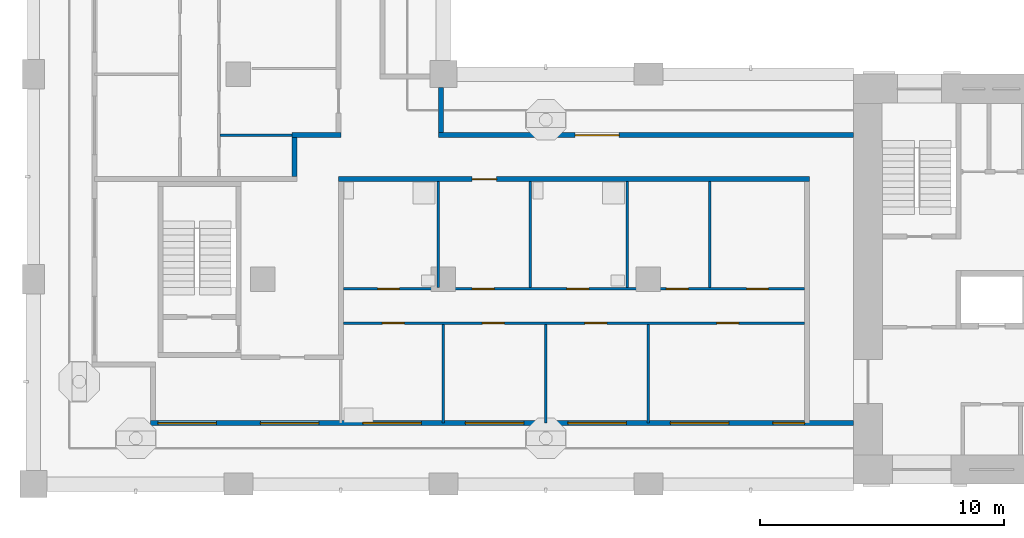
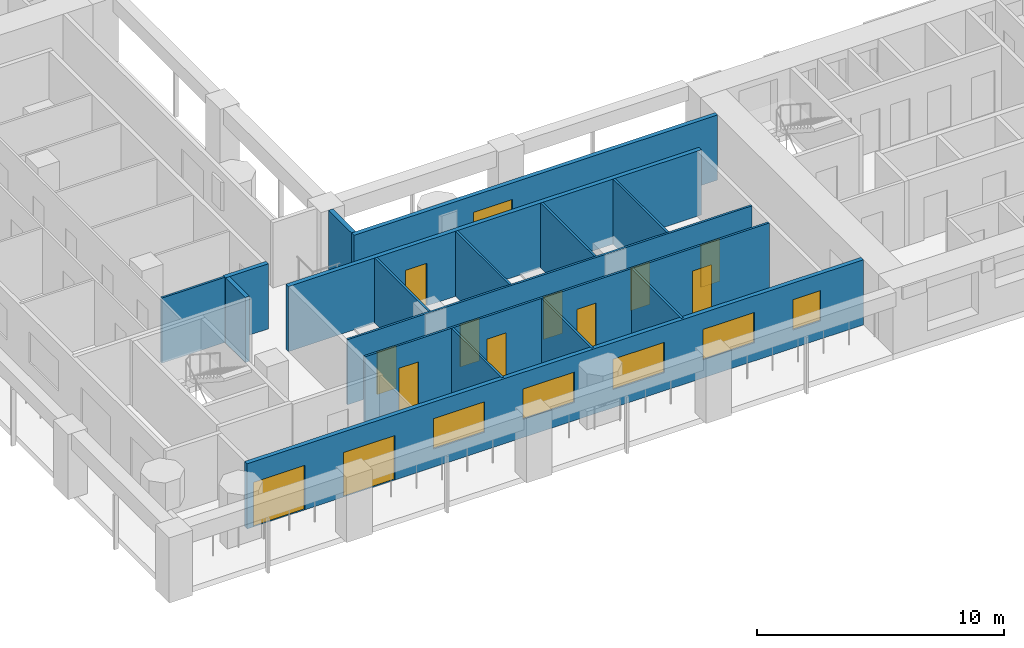
# One storey, part 2 of 13: 16 walls, 13 doors, 5 windows, 18 openings.
"""IFC4 building model written with IfcOpenShell, lengths in metres."""

from ifc_helpers import new_model, si_unit, direction, frame, frame_2d, origin, place, context, subcontext, project, spatial, rectangle, extrude, material, layer, layer_set, type_object, element, fill, save


model = new_model("IFC4")

# Units and contexts
model_context = context("Model", 3, precision=1e-05, world=origin(), true_north=direction((0.0, 1.0)))
body_context = subcontext(model_context, "Body", "Model", "MODEL_VIEW")
ifc_project = project(units=[si_unit("LENGTHUNIT", "METRE"), si_unit("AREAUNIT", "SQUARE_METRE"), si_unit("VOLUMEUNIT", "CUBIC_METRE"), si_unit("PLANEANGLEUNIT", "RADIAN"), si_unit("MASSUNIT", "GRAM", prefix="KILO")], contexts=[model_context])

# Site, building, storey
site_placement = place(None, origin())
site = spatial("IfcSite", under=ifc_project, at=site_placement, CompositionType="ELEMENT")
building_placement = place(site_placement, origin())
building = spatial("IfcBuilding", under=site, at=building_placement, Name="Vermilion Gate Residences", CompositionType="ELEMENT")
storey_placement = place(building_placement, frame((0.0, 0.0, 158.199951171875)))
storey = spatial("IfcBuildingStorey", under=building, at=storey_placement, Name="L40", CompositionType="ELEMENT", Elevation=158.199951171875)

# Wall, openings, doors, windows
ifc_material_1 = material(Name="Insulated steel stud wall with terracotta rainscreen", Category="masonry")
ifc_layer_1 = layer(ifc_material_1, 0.199951171875)
ifc_layer_set_1 = layer_set([ifc_layer_1], Name="EXTERNAL WALL 200 TERRACOTTA RAINSCREEN")
wall_type_1 = type_object("IfcWallType", Name="EXTERNAL WALL 200 TERRACOTTA RAINSCREEN", PredefinedType="SOLIDWALL", material=ifc_layer_set_1)
wall_1_placement = place(storey_placement, frame((13.199951171875, 10.89990234375, 0.0), z_axis=(0.0, 0.0, 1.0), x_axis=(1.0, 0.0, 0.0)))
wall_1 = element("IfcWall", 1, at=wall_1_placement, inside=storey, type_object=wall_type_1, Name="External wall", PredefinedType="SOLIDWALL", context=body_context, shape_type="SweptSolid", body=[
    extrude(rectangle(XDim=28.800048828125, YDim=0.199951171875, at=frame_2d((14.39990234375, 0.0))), origin(), (0.0, 0.0, 1.0), 3.219970703125),
])
opening_1_placement = place(wall_1_placement, frame((0.300048828125, 0.0, 0.0)))
opening_1 = element("IfcOpeningElement", 2, at=opening_1_placement, cuts=wall_1, Name="Opening DE40008", PredefinedType="OPENING", context=body_context, shape_type="SweptSolid", body=[
    extrude(rectangle(XDim=2.39990234375, YDim=2.199951171875, at=frame_2d((1.199951171875, 1.10009765625))), frame((0.0, 0.10986328125, 0.0), z_axis=(0.0, -1.0, 0.0), x_axis=(1.0, 0.0, 0.0)), (0.0, 0.0, 1.0), 0.219970703125),
])
opening_2_placement = place(wall_1_placement, frame((4.5, 0.0, 0.0)))
opening_2 = element("IfcOpeningElement", 3, at=opening_2_placement, cuts=wall_1, Name="Opening DE40009", PredefinedType="OPENING", context=body_context, shape_type="SweptSolid", body=[
    extrude(rectangle(XDim=2.39990234375, YDim=2.199951171875, at=frame_2d((1.199951171875, 1.10009765625))), frame((0.0, 0.10986328125, 0.0), z_axis=(0.0, -1.0, 0.0), x_axis=(1.0, 0.0, 0.0)), (0.0, 0.0, 1.0), 0.219970703125),
])
opening_3_placement = place(wall_1_placement, frame((8.699951171875, 0.0, 0.89990234375)))
opening_3 = element("IfcOpeningElement", 4, at=opening_3_placement, cuts=wall_1, Name="Opening WE40010", PredefinedType="OPENING", context=body_context, shape_type="SweptSolid", body=[
    extrude(rectangle(XDim=2.39990234375, YDim=1.5, at=frame_2d((1.199951171875, 0.75))), frame((0.0, 0.10986328125, 0.0), z_axis=(0.0, -1.0, 0.0), x_axis=(1.0, 0.0, 0.0)), (0.0, 0.0, 1.0), 0.219970703125),
])
opening_4_placement = place(wall_1_placement, frame((12.89990234375, 0.0, 0.89990234375)))
opening_4 = element("IfcOpeningElement", 5, at=opening_4_placement, cuts=wall_1, Name="Opening WE40011", PredefinedType="OPENING", context=body_context, shape_type="SweptSolid", body=[
    extrude(rectangle(XDim=2.39990234375, YDim=1.5, at=frame_2d((1.199951171875, 0.75))), frame((0.0, 0.10986328125, 0.0), z_axis=(0.0, -1.0, 0.0), x_axis=(1.0, 0.0, 0.0)), (0.0, 0.0, 1.0), 0.219970703125),
])
opening_5_placement = place(wall_1_placement, frame((17.10009765625, 0.0, 0.89990234375)))
opening_5 = element("IfcOpeningElement", 6, at=opening_5_placement, cuts=wall_1, Name="Opening WE40012", PredefinedType="OPENING", context=body_context, shape_type="SweptSolid", body=[
    extrude(rectangle(XDim=2.39990234375, YDim=1.5, at=frame_2d((1.199951171875, 0.75))), frame((0.0, 0.10986328125, 0.0), z_axis=(0.0, -1.0, 0.0), x_axis=(1.0, 0.0, 0.0)), (0.0, 0.0, 1.0), 0.219970703125),
])
opening_6_placement = place(wall_1_placement, frame((21.300048828125, 0.0, 0.89990234375)))
opening_6 = element("IfcOpeningElement", 7, at=opening_6_placement, cuts=wall_1, Name="Opening WE40013", PredefinedType="OPENING", context=body_context, shape_type="SweptSolid", body=[
    extrude(rectangle(XDim=2.39990234375, YDim=1.5, at=frame_2d((1.199951171875, 0.75))), frame((0.0, 0.10986328125, 0.0), z_axis=(0.0, -1.0, 0.0), x_axis=(1.0, 0.0, 0.0)), (0.0, 0.0, 1.0), 0.219970703125),
])
opening_7_placement = place(wall_1_placement, frame((25.5, 0.0, 0.89990234375)))
opening_7 = element("IfcOpeningElement", 8, at=opening_7_placement, cuts=wall_1, Name="Opening WE40014", PredefinedType="OPENING", context=body_context, shape_type="SweptSolid", body=[
    extrude(rectangle(XDim=1.300048828125, YDim=1.5, at=frame_2d((0.64990234375, 0.75))), frame((0.0, 0.10986328125, 0.0), z_axis=(0.0, -1.0, 0.0), x_axis=(1.0, 0.0, 0.0)), (0.0, 0.0, 1.0), 0.219970703125),
])
ifc_material_2 = material(Name="Aluminium and clear glass", Category="aluminium")
door_type_1 = type_object("IfcDoorType", Name="SLIDING GLAZED DOOR 2400 X 2200", OperationType="DOUBLE_DOOR_SLIDING", PredefinedType="DOOR", material=ifc_material_2)
door_1_placement = place(opening_1_placement, origin())
door_1 = element("IfcDoor", 9, at=door_1_placement, inside=storey, type_object=door_type_1, Name="Loggia sliding door", OperationType="DOUBLE_DOOR_SLIDING", OverallHeight=2.199951171875, OverallWidth=2.39990234375, PredefinedType="DOOR", context=body_context, shape_type="SweptSolid", body=[
    extrude(rectangle(XDim=2.39990234375, YDim=2.199951171875, at=frame_2d((1.199951171875, 1.10009765625))), frame((0.0, 0.02490234375, 0.0), z_axis=(0.0, -1.0, 0.0), x_axis=(1.0, 0.0, 0.0)), (0.0, 0.0, 1.0), 0.050048828125),
])
fill(opening_1, door_1)
door_2_placement = place(opening_2_placement, origin())
door_2 = element("IfcDoor", 10, at=door_2_placement, inside=storey, type_object=door_type_1, Name="Loggia sliding door", OperationType="DOUBLE_DOOR_SLIDING", OverallHeight=2.199951171875, OverallWidth=2.39990234375, PredefinedType="DOOR", context=body_context, shape_type="SweptSolid", body=[
    extrude(rectangle(XDim=2.39990234375, YDim=2.199951171875, at=frame_2d((1.199951171875, 1.10009765625))), frame((0.0, 0.02490234375, 0.0), z_axis=(0.0, -1.0, 0.0), x_axis=(1.0, 0.0, 0.0)), (0.0, 0.0, 1.0), 0.050048828125),
])
fill(opening_2, door_2)
ifc_material_3 = material(Name="Aluminium and clear glass", Category="aluminium")
window_type_1 = type_object("IfcWindowType", Name="WINDOW 1300 X 1500", PartitioningType="SINGLE_PANEL", PredefinedType="WINDOW", material=ifc_material_3)
window_1_placement = place(opening_7_placement, origin())
window_1 = element("IfcWindow", 11, at=window_1_placement, inside=storey, type_object=window_type_1, Name="Window", OverallHeight=1.5, OverallWidth=1.300048828125, PartitioningType="SINGLE_PANEL", PredefinedType="WINDOW", context=body_context, shape_type="SweptSolid", body=[
    extrude(rectangle(XDim=1.300048828125, YDim=1.5, at=frame_2d((0.64990234375, 0.75))), frame((0.0, 0.030029296875, 0.0), z_axis=(0.0, -1.0, 0.0), x_axis=(1.0, 0.0, 0.0)), (0.0, 0.0, 1.0), 0.06005859375),
])
fill(opening_7, window_1)
ifc_material_4 = material(Name="Aluminium and clear glass", Category="aluminium")
window_type_2 = type_object("IfcWindowType", Name="WINDOW 2400 X 1500", PartitioningType="SINGLE_PANEL", PredefinedType="WINDOW", material=ifc_material_4)
window_2_placement = place(opening_3_placement, origin())
window_2 = element("IfcWindow", 12, at=window_2_placement, inside=storey, type_object=window_type_2, Name="Window", OverallHeight=1.5, OverallWidth=2.39990234375, PartitioningType="SINGLE_PANEL", PredefinedType="WINDOW", context=body_context, shape_type="SweptSolid", body=[
    extrude(rectangle(XDim=2.39990234375, YDim=1.5, at=frame_2d((1.199951171875, 0.75))), frame((0.0, 0.030029296875, 0.0), z_axis=(0.0, -1.0, 0.0), x_axis=(1.0, 0.0, 0.0)), (0.0, 0.0, 1.0), 0.06005859375),
])
fill(opening_3, window_2)
window_3_placement = place(opening_4_placement, origin())
window_3 = element("IfcWindow", 13, at=window_3_placement, inside=storey, type_object=window_type_2, Name="Window", OverallHeight=1.5, OverallWidth=2.39990234375, PartitioningType="SINGLE_PANEL", PredefinedType="WINDOW", context=body_context, shape_type="SweptSolid", body=[
    extrude(rectangle(XDim=2.39990234375, YDim=1.5, at=frame_2d((1.199951171875, 0.75))), frame((0.0, 0.030029296875, 0.0), z_axis=(0.0, -1.0, 0.0), x_axis=(1.0, 0.0, 0.0)), (0.0, 0.0, 1.0), 0.06005859375),
])
fill(opening_4, window_3)
window_4_placement = place(opening_5_placement, origin())
window_4 = element("IfcWindow", 14, at=window_4_placement, inside=storey, type_object=window_type_2, Name="Window", OverallHeight=1.5, OverallWidth=2.39990234375, PartitioningType="SINGLE_PANEL", PredefinedType="WINDOW", context=body_context, shape_type="SweptSolid", body=[
    extrude(rectangle(XDim=2.39990234375, YDim=1.5, at=frame_2d((1.199951171875, 0.75))), frame((0.0, 0.030029296875, 0.0), z_axis=(0.0, -1.0, 0.0), x_axis=(1.0, 0.0, 0.0)), (0.0, 0.0, 1.0), 0.06005859375),
])
fill(opening_5, window_4)
window_5_placement = place(opening_6_placement, origin())
window_5 = element("IfcWindow", 15, at=window_5_placement, inside=storey, type_object=window_type_2, Name="Window", OverallHeight=1.5, OverallWidth=2.39990234375, PartitioningType="SINGLE_PANEL", PredefinedType="WINDOW", context=body_context, shape_type="SweptSolid", body=[
    extrude(rectangle(XDim=2.39990234375, YDim=1.5, at=frame_2d((1.199951171875, 0.75))), frame((0.0, 0.030029296875, 0.0), z_axis=(0.0, -1.0, 0.0), x_axis=(1.0, 0.0, 0.0)), (0.0, 0.0, 1.0), 0.06005859375),
])
fill(opening_6, window_5)

# Wall, opening, door
wall_2_placement = place(storey_placement, frame((42.0, 22.699951171875, 0.0), z_axis=(0.0, 0.0, 1.0), x_axis=(-1.0, 0.0, 0.0)))
wall_2 = element("IfcWall", 16, at=wall_2_placement, inside=storey, type_object=wall_type_1, Name="External wall", PredefinedType="SOLIDWALL", context=body_context, shape_type="SweptSolid", body=[
    extrude(rectangle(XDim=17.0, YDim=0.199951171875, at=frame_2d((8.5, 0.0))), origin(), (0.0, 0.0, 1.0), 3.219970703125),
])
opening_8_placement = place(wall_2_placement, frame((9.60009765625, 0.0, 0.0)))
opening_8 = element("IfcOpeningElement", 17, at=opening_8_placement, cuts=wall_2, Name="Opening DE40020", PredefinedType="OPENING", context=body_context, shape_type="SweptSolid", body=[
    extrude(rectangle(XDim=1.800048828125, YDim=2.39990234375, at=frame_2d((0.89990234375, 1.199951171875))), frame((0.0, 0.10986328125, 0.0), z_axis=(0.0, -1.0, 0.0), x_axis=(1.0, 0.0, 0.0)), (0.0, 0.0, 1.0), 0.219970703125),
])
ifc_material_5 = material(Name="Aluminium and clear glass", Category="aluminium")
door_type_2 = type_object("IfcDoorType", Name="GLAZED EXTERNAL DOOR 1800 X 2400", OperationType="DOUBLE_DOOR_SINGLE_SWING", PredefinedType="DOOR", material=ifc_material_5)
door_3_placement = place(opening_8_placement, frame((1.800048828125, 0.0, 0.0), z_axis=(0.0, 0.0, 1.0), x_axis=(-1.0, 0.0, 0.0)))
door_3 = element("IfcDoor", 18, at=door_3_placement, inside=storey, type_object=door_type_2, Name="Gallery door", OperationType="DOUBLE_DOOR_SINGLE_SWING", OverallHeight=2.39990234375, OverallWidth=1.800048828125, PredefinedType="DOOR", context=body_context, shape_type="SweptSolid", body=[
    extrude(rectangle(XDim=1.800048828125, YDim=2.39990234375, at=frame_2d((0.89990234375, 1.199951171875))), frame((0.0, 0.02490234375, 0.0), z_axis=(0.0, -1.0, 0.0), x_axis=(1.0, 0.0, 0.0)), (0.0, 0.0, 1.0), 0.050048828125),
])
fill(opening_8, door_3)

# Wall
wall_3_placement = place(storey_placement, frame((25.10009765625, 22.800048828125, 0.0), z_axis=(0.0, 0.0, 1.0), x_axis=(0.0, 1.0, 0.0)))
element("IfcWall", 19, at=wall_3_placement, inside=storey, type_object=wall_type_1, Name="External wall", PredefinedType="SOLIDWALL", context=body_context, shape_type="SweptSolid", body=[
    extrude(rectangle(XDim=1.849853515625, YDim=0.199951171875, at=frame_2d((0.9248046875, 0.0))), origin(), (0.0, 0.0, 1.0), 3.219970703125),
])

# Wall, openings, doors
ifc_material_6 = material(Name="Plasterboard on steel studs", Category="steel")
ifc_layer_2 = layer(ifc_material_6, 0.10009765625)
ifc_layer_set_2 = layer_set([ifc_layer_2], Name="PARTITION 100")
wall_type_2 = type_object("IfcWallType", Name="PARTITION 100", PredefinedType="PARTITIONING", material=ifc_layer_set_2)
wall_4_placement = place(storey_placement, frame((21.10009765625, 15.0, 0.0), z_axis=(0.0, 0.0, 1.0), x_axis=(1.0, 0.0, 0.0)))
wall_4 = element("IfcWall", 20, at=wall_4_placement, inside=storey, type_object=wall_type_2, Name="Partition", PredefinedType="PARTITIONING", context=body_context, shape_type="SweptSolid", body=[
    extrude(rectangle(XDim=18.89990234375, YDim=0.10009765625, at=frame_2d((9.449951171875, 0.0))), origin(), (0.0, 0.0, 1.0), 3.219970703125),
])
opening_9_placement = place(wall_4_placement, frame((1.60009765625, 0.0, 0.0)))
opening_9 = element("IfcOpeningElement", 21, at=opening_9_placement, cuts=wall_4, Name="Opening DA40002", PredefinedType="OPENING", context=body_context, shape_type="SweptSolid", body=[
    extrude(rectangle(XDim=0.89990234375, YDim=2.10009765625, at=frame_2d((0.449951171875, 1.050048828125))), frame((0.0, 0.06005859375, 0.0), z_axis=(0.0, -1.0, 0.0), x_axis=(1.0, 0.0, 0.0)), (0.0, 0.0, 1.0), 0.1201171875),
])
opening_10_placement = place(wall_4_placement, frame((5.699951171875, 0.0, 0.0)))
opening_10 = element("IfcOpeningElement", 22, at=opening_10_placement, cuts=wall_4, Name="Opening DA40003", PredefinedType="OPENING", context=body_context, shape_type="SweptSolid", body=[
    extrude(rectangle(XDim=0.89990234375, YDim=2.10009765625, at=frame_2d((0.449951171875, 1.050048828125))), frame((0.0, 0.06005859375, 0.0), z_axis=(0.0, -1.0, 0.0), x_axis=(1.0, 0.0, 0.0)), (0.0, 0.0, 1.0), 0.1201171875),
])
opening_11_placement = place(wall_4_placement, frame((9.89990234375, 0.0, 0.0)))
opening_11 = element("IfcOpeningElement", 23, at=opening_11_placement, cuts=wall_4, Name="Opening DA40004", PredefinedType="OPENING", context=body_context, shape_type="SweptSolid", body=[
    extrude(rectangle(XDim=0.89990234375, YDim=2.10009765625, at=frame_2d((0.449951171875, 1.050048828125))), frame((0.0, 0.06005859375, 0.0), z_axis=(0.0, -1.0, 0.0), x_axis=(1.0, 0.0, 0.0)), (0.0, 0.0, 1.0), 0.1201171875),
])
opening_12_placement = place(wall_4_placement, frame((15.300048828125, 0.0, 0.0)))
opening_12 = element("IfcOpeningElement", 24, at=opening_12_placement, cuts=wall_4, Name="Opening DA40005", PredefinedType="OPENING", context=body_context, shape_type="SweptSolid", body=[
    extrude(rectangle(XDim=0.89990234375, YDim=2.10009765625, at=frame_2d((0.449951171875, 1.050048828125))), frame((0.0, 0.06005859375, 0.0), z_axis=(0.0, -1.0, 0.0), x_axis=(1.0, 0.0, 0.0)), (0.0, 0.0, 1.0), 0.1201171875),
])
ifc_material_7 = material(Name="Timber", Category="wood")
door_type_3 = type_object("IfcDoorType", Name="INTERIOR DOOR 900 X 2100", OperationType="SINGLE_SWING_LEFT", PredefinedType="DOOR", material=ifc_material_7)
door_4_placement = place(opening_9_placement, frame((0.89990234375, 0.0, 0.0), z_axis=(0.0, 0.0, 1.0), x_axis=(-1.0, 0.0, 0.0)))
door_4 = element("IfcDoor", 25, at=door_4_placement, inside=storey, type_object=door_type_3, Name="Interior door", OperationType="SINGLE_SWING_LEFT", OverallHeight=2.10009765625, OverallWidth=0.89990234375, PredefinedType="DOOR", context=body_context, shape_type="SweptSolid", body=[
    extrude(rectangle(XDim=0.89990234375, YDim=2.10009765625, at=frame_2d((0.449951171875, 1.050048828125))), frame((0.0, 0.02490234375, 0.0), z_axis=(0.0, -1.0, 0.0), x_axis=(1.0, 0.0, 0.0)), (0.0, 0.0, 1.0), 0.050048828125),
])
fill(opening_9, door_4)
door_5_placement = place(opening_10_placement, frame((0.89990234375, 0.0, 0.0), z_axis=(0.0, 0.0, 1.0), x_axis=(-1.0, 0.0, 0.0)))
door_5 = element("IfcDoor", 26, at=door_5_placement, inside=storey, type_object=door_type_3, Name="Interior door", OperationType="SINGLE_SWING_RIGHT", OverallHeight=2.10009765625, OverallWidth=0.89990234375, PredefinedType="DOOR", context=body_context, shape_type="SweptSolid", body=[
    extrude(rectangle(XDim=0.89990234375, YDim=2.10009765625, at=frame_2d((0.449951171875, 1.050048828125))), frame((0.0, 0.02490234375, 0.0), z_axis=(0.0, -1.0, 0.0), x_axis=(1.0, 0.0, 0.0)), (0.0, 0.0, 1.0), 0.050048828125),
])
fill(opening_10, door_5)
door_6_placement = place(opening_11_placement, frame((0.89990234375, 0.0, 0.0), z_axis=(0.0, 0.0, 1.0), x_axis=(-1.0, 0.0, 0.0)))
door_6 = element("IfcDoor", 27, at=door_6_placement, inside=storey, type_object=door_type_3, Name="Interior door", OperationType="SINGLE_SWING_RIGHT", OverallHeight=2.10009765625, OverallWidth=0.89990234375, PredefinedType="DOOR", context=body_context, shape_type="SweptSolid", body=[
    extrude(rectangle(XDim=0.89990234375, YDim=2.10009765625, at=frame_2d((0.449951171875, 1.050048828125))), frame((0.0, 0.02490234375, 0.0), z_axis=(0.0, -1.0, 0.0), x_axis=(1.0, 0.0, 0.0)), (0.0, 0.0, 1.0), 0.050048828125),
])
fill(opening_11, door_6)
door_7_placement = place(opening_12_placement, frame((0.89990234375, 0.0, 0.0), z_axis=(0.0, 0.0, 1.0), x_axis=(-1.0, 0.0, 0.0)))
door_7 = element("IfcDoor", 28, at=door_7_placement, inside=storey, type_object=door_type_3, Name="Interior door", OperationType="SINGLE_SWING_LEFT", OverallHeight=2.10009765625, OverallWidth=0.89990234375, PredefinedType="DOOR", context=body_context, shape_type="SweptSolid", body=[
    extrude(rectangle(XDim=0.89990234375, YDim=2.10009765625, at=frame_2d((0.449951171875, 1.050048828125))), frame((0.0, 0.02490234375, 0.0), z_axis=(0.0, -1.0, 0.0), x_axis=(1.0, 0.0, 0.0)), (0.0, 0.0, 1.0), 0.050048828125),
])
fill(opening_12, door_7)

wall_5_placement = place(storey_placement, frame((21.10009765625, 16.39990234375, 0.0), z_axis=(0.0, 0.0, 1.0), x_axis=(1.0, 0.0, 0.0)))
wall_5 = element("IfcWall", 29, at=wall_5_placement, inside=storey, type_object=wall_type_2, Name="Partition", PredefinedType="PARTITIONING", context=body_context, shape_type="SweptSolid", body=[
    extrude(rectangle(XDim=18.89990234375, YDim=0.10009765625, at=frame_2d((9.449951171875, 0.0))), origin(), (0.0, 0.0, 1.0), 3.219970703125),
])
opening_13_placement = place(wall_5_placement, frame((5.280029296875, 0.0, 0.0)))
opening_13 = element("IfcOpeningElement", 30, at=opening_13_placement, cuts=wall_5, Name="Opening DA40006", PredefinedType="OPENING", context=body_context, shape_type="SweptSolid", body=[
    extrude(rectangle(XDim=0.89990234375, YDim=2.10009765625, at=frame_2d((0.449951171875, 1.050048828125))), frame((0.0, 0.06005859375, 0.0), z_axis=(0.0, -1.0, 0.0), x_axis=(1.0, 0.0, 0.0)), (0.0, 0.0, 1.0), 0.1201171875),
])
opening_14_placement = place(wall_5_placement, frame((1.39990234375, 0.0, 0.0)))
opening_14 = element("IfcOpeningElement", 31, at=opening_14_placement, cuts=wall_5, Name="Opening DA40007", PredefinedType="OPENING", context=body_context, shape_type="SweptSolid", body=[
    extrude(rectangle(XDim=0.89990234375, YDim=2.10009765625, at=frame_2d((0.449951171875, 1.050048828125))), frame((0.0, 0.06005859375, 0.0), z_axis=(0.0, -1.0, 0.0), x_axis=(1.0, 0.0, 0.0)), (0.0, 0.0, 1.0), 0.1201171875),
])
opening_15_placement = place(wall_5_placement, frame((9.159912109375, 0.0, 0.0)))
opening_15 = element("IfcOpeningElement", 32, at=opening_15_placement, cuts=wall_5, Name="Opening DA40008", PredefinedType="OPENING", context=body_context, shape_type="SweptSolid", body=[
    extrude(rectangle(XDim=0.89990234375, YDim=2.10009765625, at=frame_2d((0.449951171875, 1.050048828125))), frame((0.0, 0.06005859375, 0.0), z_axis=(0.0, -1.0, 0.0), x_axis=(1.0, 0.0, 0.0)), (0.0, 0.0, 1.0), 0.1201171875),
])
opening_16_placement = place(wall_5_placement, frame((13.239990234375, 0.0, 0.0)))
opening_16 = element("IfcOpeningElement", 33, at=opening_16_placement, cuts=wall_5, Name="Opening DA40009", PredefinedType="OPENING", context=body_context, shape_type="SweptSolid", body=[
    extrude(rectangle(XDim=0.89990234375, YDim=2.10009765625, at=frame_2d((0.449951171875, 1.050048828125))), frame((0.0, 0.06005859375, 0.0), z_axis=(0.0, -1.0, 0.0), x_axis=(1.0, 0.0, 0.0)), (0.0, 0.0, 1.0), 0.1201171875),
])
opening_17_placement = place(wall_5_placement, frame((16.52001953125, 0.0, 0.0)))
opening_17 = element("IfcOpeningElement", 34, at=opening_17_placement, cuts=wall_5, Name="Opening DA40010", PredefinedType="OPENING", context=body_context, shape_type="SweptSolid", body=[
    extrude(rectangle(XDim=0.89990234375, YDim=2.10009765625, at=frame_2d((0.449951171875, 1.050048828125))), frame((0.0, 0.06005859375, 0.0), z_axis=(0.0, -1.0, 0.0), x_axis=(1.0, 0.0, 0.0)), (0.0, 0.0, 1.0), 0.1201171875),
])
door_8_placement = place(opening_13_placement, origin())
door_8 = element("IfcDoor", 35, at=door_8_placement, inside=storey, type_object=door_type_3, Name="Interior door", OperationType="SINGLE_SWING_LEFT", OverallHeight=2.10009765625, OverallWidth=0.89990234375, PredefinedType="DOOR", context=body_context, shape_type="SweptSolid", body=[
    extrude(rectangle(XDim=0.89990234375, YDim=2.10009765625, at=frame_2d((0.449951171875, 1.050048828125))), frame((0.0, 0.02490234375, 0.0), z_axis=(0.0, -1.0, 0.0), x_axis=(1.0, 0.0, 0.0)), (0.0, 0.0, 1.0), 0.050048828125),
])
fill(opening_13, door_8)
door_9_placement = place(opening_14_placement, origin())
door_9 = element("IfcDoor", 36, at=door_9_placement, inside=storey, type_object=door_type_3, Name="Interior door", OperationType="SINGLE_SWING_RIGHT", OverallHeight=2.10009765625, OverallWidth=0.89990234375, PredefinedType="DOOR", context=body_context, shape_type="SweptSolid", body=[
    extrude(rectangle(XDim=0.89990234375, YDim=2.10009765625, at=frame_2d((0.449951171875, 1.050048828125))), frame((0.0, 0.02490234375, 0.0), z_axis=(0.0, -1.0, 0.0), x_axis=(1.0, 0.0, 0.0)), (0.0, 0.0, 1.0), 0.050048828125),
])
fill(opening_14, door_9)
door_10_placement = place(opening_15_placement, origin())
door_10 = element("IfcDoor", 37, at=door_10_placement, inside=storey, type_object=door_type_3, Name="Interior door", OperationType="SINGLE_SWING_RIGHT", OverallHeight=2.10009765625, OverallWidth=0.89990234375, PredefinedType="DOOR", context=body_context, shape_type="SweptSolid", body=[
    extrude(rectangle(XDim=0.89990234375, YDim=2.10009765625, at=frame_2d((0.449951171875, 1.050048828125))), frame((0.0, 0.02490234375, 0.0), z_axis=(0.0, -1.0, 0.0), x_axis=(1.0, 0.0, 0.0)), (0.0, 0.0, 1.0), 0.050048828125),
])
fill(opening_15, door_10)
door_11_placement = place(opening_16_placement, origin())
door_11 = element("IfcDoor", 38, at=door_11_placement, inside=storey, type_object=door_type_3, Name="Interior door", OperationType="SINGLE_SWING_LEFT", OverallHeight=2.10009765625, OverallWidth=0.89990234375, PredefinedType="DOOR", context=body_context, shape_type="SweptSolid", body=[
    extrude(rectangle(XDim=0.89990234375, YDim=2.10009765625, at=frame_2d((0.449951171875, 1.050048828125))), frame((0.0, 0.02490234375, 0.0), z_axis=(0.0, -1.0, 0.0), x_axis=(1.0, 0.0, 0.0)), (0.0, 0.0, 1.0), 0.050048828125),
])
fill(opening_16, door_11)
door_12_placement = place(opening_17_placement, origin())
door_12 = element("IfcDoor", 39, at=door_12_placement, inside=storey, type_object=door_type_3, Name="Interior door", OperationType="SINGLE_SWING_LEFT", OverallHeight=2.10009765625, OverallWidth=0.89990234375, PredefinedType="DOOR", context=body_context, shape_type="SweptSolid", body=[
    extrude(rectangle(XDim=0.89990234375, YDim=2.10009765625, at=frame_2d((0.449951171875, 1.050048828125))), frame((0.0, 0.02490234375, 0.0), z_axis=(0.0, -1.0, 0.0), x_axis=(1.0, 0.0, 0.0)), (0.0, 0.0, 1.0), 0.050048828125),
])
fill(opening_17, door_12)

# Walls
wall_6_placement = place(storey_placement, frame((16.050048828125, 22.699951171875, 0.0), z_axis=(0.0, 0.0, 1.0), x_axis=(1.0, 0.0, 0.0)))
element("IfcWall", 40, at=wall_6_placement, inside=storey, type_object=wall_type_2, Name="Partition", PredefinedType="PARTITIONING", context=body_context, shape_type="SweptSolid", body=[
    extrude(rectangle(XDim=2.949951171875, YDim=0.10009765625, at=frame_2d((1.47509765625, 0.0))), origin(), (0.0, 0.0, 1.0), 3.219970703125),
])
wall_7_placement = place(storey_placement, frame((24.97998046875, 16.449951171875, 0.0), z_axis=(0.0, 0.0, 1.0), x_axis=(0.0, 1.0, 0.0)))
element("IfcWall", 41, at=wall_7_placement, inside=storey, type_object=wall_type_2, Name="Partition", PredefinedType="PARTITIONING", context=body_context, shape_type="SweptSolid", body=[
    extrude(rectangle(XDim=4.35009765625, YDim=0.10009765625, at=frame_2d((2.175048828125, 0.0))), origin(), (0.0, 0.0, 1.0), 3.219970703125),
])
wall_8_placement = place(storey_placement, frame((25.199951171875, 10.89990234375, 0.0), z_axis=(0.0, 0.0, 1.0), x_axis=(0.0, 1.0, 0.0)))
element("IfcWall", 42, at=wall_8_placement, inside=storey, type_object=wall_type_2, Name="Partition", PredefinedType="PARTITIONING", context=body_context, shape_type="SweptSolid", body=[
    extrude(rectangle(XDim=4.050048828125, YDim=0.10009765625, at=frame_2d((2.02490234375, 0.0))), origin(), (0.0, 0.0, 1.0), 3.219970703125),
])
wall_9_placement = place(storey_placement, frame((28.760009765625, 16.449951171875, 0.0), z_axis=(0.0, 0.0, 1.0), x_axis=(0.0, 1.0, 0.0)))
element("IfcWall", 43, at=wall_9_placement, inside=storey, type_object=wall_type_2, Name="Partition", PredefinedType="PARTITIONING", context=body_context, shape_type="SweptSolid", body=[
    extrude(rectangle(XDim=4.35009765625, YDim=0.10009765625, at=frame_2d((2.175048828125, 0.0))), origin(), (0.0, 0.0, 1.0), 3.219970703125),
])
wall_10_placement = place(storey_placement, frame((29.39990234375, 10.89990234375, 0.0), z_axis=(0.0, 0.0, 1.0), x_axis=(0.0, 1.0, 0.0)))
element("IfcWall", 44, at=wall_10_placement, inside=storey, type_object=wall_type_2, Name="Partition", PredefinedType="PARTITIONING", context=body_context, shape_type="SweptSolid", body=[
    extrude(rectangle(XDim=4.050048828125, YDim=0.10009765625, at=frame_2d((2.02490234375, 0.0))), origin(), (0.0, 0.0, 1.0), 3.219970703125),
])
wall_11_placement = place(storey_placement, frame((32.739990234375, 16.449951171875, 0.0), z_axis=(0.0, 0.0, 1.0), x_axis=(0.0, 1.0, 0.0)))
element("IfcWall", 45, at=wall_11_placement, inside=storey, type_object=wall_type_2, Name="Partition", PredefinedType="PARTITIONING", context=body_context, shape_type="SweptSolid", body=[
    extrude(rectangle(XDim=4.35009765625, YDim=0.10009765625, at=frame_2d((2.175048828125, 0.0))), origin(), (0.0, 0.0, 1.0), 3.219970703125),
])
wall_12_placement = place(storey_placement, frame((33.60009765625, 10.89990234375, 0.0), z_axis=(0.0, 0.0, 1.0), x_axis=(0.0, 1.0, 0.0)))
element("IfcWall", 46, at=wall_12_placement, inside=storey, type_object=wall_type_2, Name="Partition", PredefinedType="PARTITIONING", context=body_context, shape_type="SweptSolid", body=[
    extrude(rectangle(XDim=4.050048828125, YDim=0.10009765625, at=frame_2d((2.02490234375, 0.0))), origin(), (0.0, 0.0, 1.0), 3.219970703125),
])
wall_13_placement = place(storey_placement, frame((36.1201171875, 16.449951171875, 0.0), z_axis=(0.0, 0.0, 1.0), x_axis=(0.0, 1.0, 0.0)))
element("IfcWall", 47, at=wall_13_placement, inside=storey, type_object=wall_type_2, Name="Partition", PredefinedType="PARTITIONING", context=body_context, shape_type="SweptSolid", body=[
    extrude(rectangle(XDim=4.35009765625, YDim=0.10009765625, at=frame_2d((2.175048828125, 0.0))), origin(), (0.0, 0.0, 1.0), 3.219970703125),
])

# Wall, opening, door
ifc_material_8 = material(Name="Fire-rated plasterboard on steel studs", Category="steel")
ifc_layer_3 = layer(ifc_material_8, 0.199951171875)
ifc_layer_set_3 = layer_set([ifc_layer_3], Name="PARTY WALL 200 EI 120")
wall_type_3 = type_object("IfcWallType", Name="PARTY WALL 200 EI 120", PredefinedType="PARTITIONING", material=ifc_layer_set_3)
wall_14_placement = place(storey_placement, frame((20.89990234375, 20.89990234375, 0.0), z_axis=(0.0, 0.0, 1.0), x_axis=(1.0, 0.0, 0.0)))
wall_14 = element("IfcWall", 48, at=wall_14_placement, inside=storey, type_object=wall_type_3, Name="Party and corridor wall", PredefinedType="PARTITIONING", context=body_context, shape_type="SweptSolid", body=[
    extrude(rectangle(XDim=19.300048828125, YDim=0.199951171875, at=frame_2d((9.64990234375, 0.0))), origin(), (0.0, 0.0, 1.0), 3.219970703125),
])
opening_18_placement = place(wall_14_placement, frame((5.47998046875, 0.0, 0.0)))
opening_18 = element("IfcOpeningElement", 49, at=opening_18_placement, cuts=wall_14, Name="Opening DA40011", PredefinedType="OPENING", context=body_context, shape_type="SweptSolid", body=[
    extrude(rectangle(XDim=1.0, YDim=2.10009765625, at=frame_2d((0.5, 1.050048828125))), frame((0.0, 0.10986328125, 0.0), z_axis=(0.0, -1.0, 0.0), x_axis=(1.0, 0.0, 0.0)), (0.0, 0.0, 1.0), 0.219970703125),
])
ifc_material_9 = material(Name="Steel", Category="steel")
door_type_4 = type_object("IfcDoorType", Name="ENTRANCE DOOR 1000 X 2100 FD30", OperationType="SINGLE_SWING_LEFT", PredefinedType="DOOR", material=ifc_material_9)
door_13_placement = place(opening_18_placement, frame((1.0, 0.0, 0.0), z_axis=(0.0, 0.0, 1.0), x_axis=(-1.0, 0.0, 0.0)))
door_13 = element("IfcDoor", 50, at=door_13_placement, inside=storey, type_object=door_type_4, Name="Entrance door", OperationType="SINGLE_SWING_LEFT", OverallHeight=2.10009765625, OverallWidth=1.0, PredefinedType="DOOR", context=body_context, shape_type="SweptSolid", body=[
    extrude(rectangle(XDim=1.0, YDim=2.10009765625, at=frame_2d((0.5, 1.050048828125))), frame((0.0, 0.02490234375, 0.0), z_axis=(0.0, -1.0, 0.0), x_axis=(1.0, 0.0, 0.0)), (0.0, 0.0, 1.0), 0.050048828125),
])
fill(opening_18, door_13)

# Walls
wall_15_placement = place(storey_placement, frame((19.0, 22.699951171875, 0.0), z_axis=(0.0, 0.0, 1.0), x_axis=(1.0, 0.0, 0.0)))
element("IfcWall", 51, at=wall_15_placement, inside=storey, type_object=wall_type_3, Name="Party and corridor wall", PredefinedType="PARTITIONING", context=body_context, shape_type="SweptSolid", body=[
    extrude(rectangle(XDim=2.0, YDim=0.199951171875, at=frame_2d((1.0, 0.0))), origin(), (0.0, 0.0, 1.0), 3.219970703125),
])
wall_16_placement = place(storey_placement, frame((19.10009765625, 21.0, 0.0), z_axis=(0.0, 0.0, 1.0), x_axis=(0.0, 1.0, 0.0)))
element("IfcWall", 52, at=wall_16_placement, inside=storey, type_object=wall_type_3, Name="Party and corridor wall", PredefinedType="PARTITIONING", context=body_context, shape_type="SweptSolid", body=[
    extrude(rectangle(XDim=1.60009765625, YDim=0.199951171875, at=frame_2d((0.800048828125, 0.0))), origin(), (0.0, 0.0, 1.0), 3.219970703125),
])

save(model, "model.ifc")
